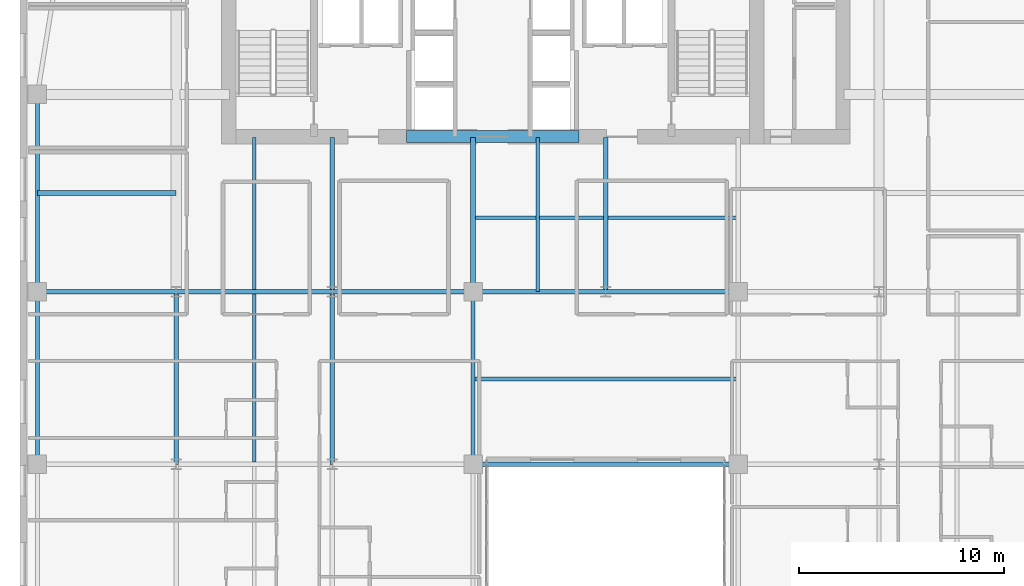
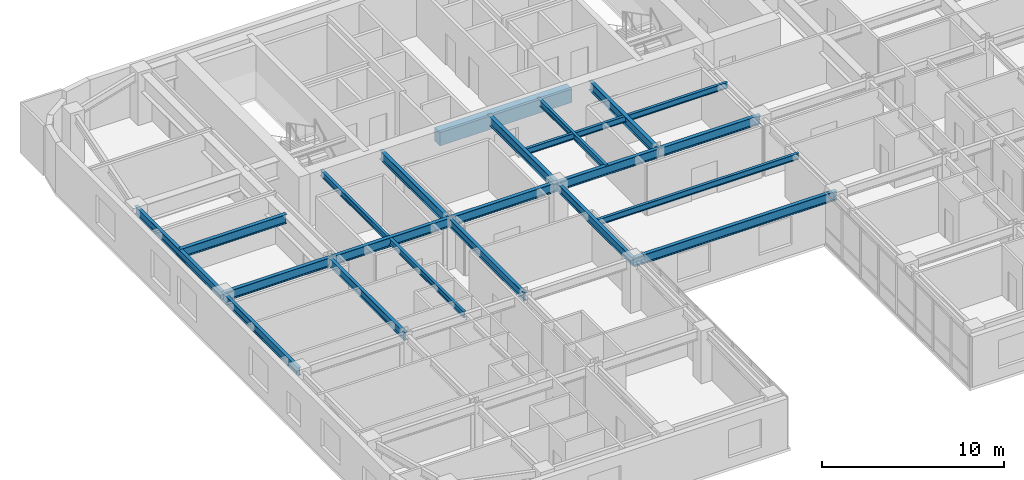
# One storey, part 4 of 17: 21 beams.
"""IFC4 building model written with IfcOpenShell, lengths in metres."""

from ifc_helpers import new_model, si_unit, direction, frame, origin, origin_2d, place, context, subcontext, project, spatial, rectangle, i_section, extrude, source, transform, mapped, material, material_profile, profile_set, type_object, type_shapes, element, save


model = new_model("IFC4")

# Units and contexts
model_context = context("Model", 3, precision=1e-05, world=origin(), true_north=direction((0.0, 1.0)))
body_context = subcontext(model_context, "Body", "Model", "MODEL_VIEW")
ifc_project = project(units=[si_unit("LENGTHUNIT", "METRE"), si_unit("AREAUNIT", "SQUARE_METRE"), si_unit("VOLUMEUNIT", "CUBIC_METRE"), si_unit("PLANEANGLEUNIT", "RADIAN"), si_unit("MASSUNIT", "GRAM", prefix="KILO")], contexts=[model_context])

# Site, building, storey
site_placement = place(None, origin())
site = spatial("IfcSite", under=ifc_project, at=site_placement, CompositionType="ELEMENT")
building_placement = place(site_placement, origin())
building = spatial("IfcBuilding", under=site, at=building_placement, Name="Tolvann Quenvar Hotel", CompositionType="ELEMENT")
storey_placement = place(building_placement, frame((0.0, 0.0, 108.0)))
storey = spatial("IfcBuildingStorey", under=building, at=storey_placement, Name="L27", CompositionType="ELEMENT", Elevation=108.0)

# Beams
ifc_material_1 = material(Name="Concrete N50 (50 MPa)", Category="concrete")
ifc_material_profile_1 = material_profile(ifc_material_1, rectangle(XDim=0.60009765625, YDim=0.89990234375, at=origin_2d()), Name="RC600x900")
ifc_profile_set_1 = profile_set([ifc_material_profile_1], Name="Concrete N50 (50 MPa)")
beam_type_1 = type_object("IfcBeamType", Name="BM_LINT_RC600x900", PredefinedType="LINTEL", material=ifc_profile_set_1)
shared_shape_1 = source(origin(), body_context, "Body", "SweptSolid", [
    extrude(rectangle(XDim=0.60009765625, YDim=0.89990234375, at=origin_2d()), origin(), (0.0, 0.0, 1.0), 8.39990234375),
])
type_shapes(beam_type_1, [shared_shape_1])
beam_1_placement = place(storey_placement, frame((18.800048828125, 31.949951171875, 2.919921875), z_axis=(1.0, 0.0, 0.0), x_axis=(0.0, 1.0, 0.0)))
element("IfcBeam", 1, at=beam_1_placement, inside=storey, type_object=beam_type_1, Name="Core Coupling Lintel Beam (L27)", PredefinedType="LINTEL", context=body_context, shape_type="MappedRepresentation", body=[
    mapped(shared_shape_1, transform((0.0, 0.0, 0.0), x_axis=(1.0, 0.0, 0.0), y_axis=(0.0, 1.0, 0.0), z_axis=(0.0, 0.0, 1.0), scale=1.0)),
])
ifc_material_2 = material(Name="Steel Grade 350", Category="steel")
ifc_material_profile_2 = material_profile(ifc_material_2, i_section(OverallWidth=0.22900390625, OverallDepth=0.612060546875, WebThickness=0.011962890625, FlangeThickness=0.01953125, FilletRadius=0.013916015625, at=origin_2d()), Name="610UB125")
ifc_profile_set_2 = profile_set([ifc_material_profile_2], Name="Steel Grade 350")
beam_type_2 = type_object("IfcBeamType", Name="BM_GIRD_610UB125", PredefinedType="BEAM", material=ifc_profile_set_2)
shared_shape_2 = source(origin(), body_context, "Body", "SweptSolid", [
    extrude(i_section(OverallWidth=0.22900390625, OverallDepth=0.612060546875, WebThickness=0.011962890625, FlangeThickness=0.01953125, FilletRadius=0.013916015625, at=origin_2d()), origin(), (0.0, 0.0, 1.0), 6.75),
])
for number, where, z_axis, x_axis, name in (
    (2, (0.85009765625, 24.39990234375, 3.06396484375), (1.0, 0.0, 0.0), (0.0, 1.0, 0.0), "BM-L27-EW-5-B5-C5"),
    (3, (0.85009765625, 29.199951171875, 3.06396484375), (1.0, 0.0, 0.0), (0.0, 1.0, 0.0), "BM-L27-EW-BC29"),
):
    element("IfcBeam", number, at=place(storey_placement, frame(where, z_axis=z_axis, x_axis=x_axis)), inside=storey, type_object=beam_type_2, Name=name, PredefinedType="BEAM", context=body_context, shape_type="MappedRepresentation", body=[
        mapped(shared_shape_2, transform((0.0, 0.0, 0.0), x_axis=(1.0, 0.0, 0.0), y_axis=(0.0, 1.0, 0.0), z_axis=(0.0, 0.0, 1.0), scale=1.0)),
    ])
shared_shape_3 = source(origin(), body_context, "Body", "SweptSolid", [
    extrude(i_section(OverallWidth=0.22900390625, OverallDepth=0.612060546875, WebThickness=0.011962890625, FlangeThickness=0.01953125, FilletRadius=0.013916015625, at=origin_2d()), origin(), (0.0, 0.0, 1.0), 7.599853515625),
])
beam_2_placement = place(storey_placement, frame((7.60009765625, 24.39990234375, 3.06396484375), z_axis=(1.0, 0.0, 0.0), x_axis=(0.0, 1.0, 0.0)))
element("IfcBeam", 4, at=beam_2_placement, inside=storey, type_object=beam_type_2, Name="BM-L27-EW-5-C5-D5", PredefinedType="BEAM", context=body_context, shape_type="MappedRepresentation", body=[
    mapped(shared_shape_3, transform((0.0, 0.0, 0.0), x_axis=(1.0, 0.0, 0.0), y_axis=(0.0, 1.0, 0.0), z_axis=(0.0, 0.0, 1.0), scale=1.0)),
])
shared_shape_4 = source(origin(), body_context, "Body", "SweptSolid", [
    extrude(i_section(OverallWidth=0.22900390625, OverallDepth=0.612060546875, WebThickness=0.011962890625, FlangeThickness=0.01953125, FilletRadius=0.013916015625, at=origin_2d()), origin(), (0.0, 0.0, 1.0), 6.85009765625),
])
beam_3_placement = place(storey_placement, frame((15.199951171875, 24.39990234375, 3.06396484375), z_axis=(1.0, 0.0, 0.0), x_axis=(0.0, 1.0, 0.0)))
element("IfcBeam", 5, at=beam_3_placement, inside=storey, type_object=beam_type_2, Name="BM-L27-EW-5-D5-E5", PredefinedType="BEAM", context=body_context, shape_type="MappedRepresentation", body=[
    mapped(shared_shape_4, transform((0.0, 0.0, 0.0), x_axis=(1.0, 0.0, 0.0), y_axis=(0.0, 1.0, 0.0), z_axis=(0.0, 0.0, 1.0), scale=1.0)),
])
shared_shape_5 = source(origin(), body_context, "Body", "SweptSolid", [
    extrude(i_section(OverallWidth=0.22900390625, OverallDepth=0.612060546875, WebThickness=0.011962890625, FlangeThickness=0.01953125, FilletRadius=0.013916015625, at=origin_2d()), origin(), (0.0, 0.0, 1.0), 12.89990234375),
])
beam_4_placement = place(storey_placement, frame((22.050048828125, 16.0, 3.06396484375), z_axis=(1.0, 0.0, 0.0), x_axis=(0.0, 1.0, 0.0)))
element("IfcBeam", 6, at=beam_4_placement, inside=storey, type_object=beam_type_2, Name="BM-L27-EW-4-E4-F4", PredefinedType="BEAM", context=body_context, shape_type="MappedRepresentation", body=[
    mapped(shared_shape_5, transform((0.0, 0.0, 0.0), x_axis=(1.0, 0.0, 0.0), y_axis=(0.0, 1.0, 0.0), z_axis=(0.0, 0.0, 1.0), scale=1.0)),
])
shared_shape_6 = source(origin(), body_context, "Body", "SweptSolid", [
    extrude(i_section(OverallWidth=0.22900390625, OverallDepth=0.612060546875, WebThickness=0.011962890625, FlangeThickness=0.01953125, FilletRadius=0.013916015625, at=origin_2d()), origin(), (0.0, 0.0, 1.0), 6.449951171875),
])
for number, where, z_axis, x_axis, name in (
    (7, (22.050048828125, 24.39990234375, 3.06396484375), (1.0, 0.0, 0.0), (0.0, 1.0, 0.0), "BM-L27-EW-5-E5-M5"),
    (8, (28.5, 24.39990234375, 3.06396484375), (1.0, 0.0, 0.0), (0.0, 1.0, 0.0), "BM-L27-EW-5-M5-F5"),
):
    element("IfcBeam", number, at=place(storey_placement, frame(where, z_axis=z_axis, x_axis=x_axis)), inside=storey, type_object=beam_type_2, Name=name, PredefinedType="BEAM", context=body_context, shape_type="MappedRepresentation", body=[
        mapped(shared_shape_6, transform((0.0, 0.0, 0.0), x_axis=(1.0, 0.0, 0.0), y_axis=(0.0, 1.0, 0.0), z_axis=(0.0, 0.0, 1.0), scale=1.0)),
    ])
ifc_material_profile_3 = material_profile(ifc_material_2, i_section(OverallWidth=0.208984375, OverallDepth=0.528076171875, WebThickness=0.009521484375, FlangeThickness=0.01318359375, FilletRadius=0.013916015625, at=origin_2d()), Name="530UB82")
ifc_profile_set_3 = profile_set([ifc_material_profile_3], Name="Steel Grade 350")
beam_type_3 = type_object("IfcBeamType", Name="BM_SPAND_530UB82", PredefinedType="SPANDREL", material=ifc_profile_set_3)
shared_shape_7 = source(origin(), body_context, "Body", "SweptSolid", [
    extrude(i_section(OverallWidth=0.208984375, OverallDepth=0.528076171875, WebThickness=0.009521484375, FlangeThickness=0.01318359375, FilletRadius=0.013916015625, at=origin_2d()), origin(), (0.0, 0.0, 1.0), 8.39990234375),
])
beam_5_placement = place(storey_placement, frame((0.85009765625, 16.0, 3.10595703125), z_axis=(0.0, 1.0, 0.0), x_axis=(-1.0, 0.0, 0.0)))
element("IfcBeam", 9, at=beam_5_placement, inside=storey, type_object=beam_type_3, Name="BM-L27-NS-B4-B5", PredefinedType="SPANDREL", context=body_context, shape_type="MappedRepresentation", body=[
    mapped(shared_shape_7, transform((0.0, 0.0, 0.0), x_axis=(1.0, 0.0, 0.0), y_axis=(0.0, 1.0, 0.0), z_axis=(0.0, 0.0, 1.0), scale=1.0)),
])
ifc_material_profile_4 = material_profile(ifc_material_2, i_section(OverallWidth=0.208984375, OverallDepth=0.532958984375, WebThickness=0.01025390625, FlangeThickness=0.015625, FilletRadius=0.013916015625, at=origin_2d()), Name="530UB92")
ifc_profile_set_4 = profile_set([ifc_material_profile_4], Name="Steel Grade 350")
beam_type_4 = type_object("IfcBeamType", Name="BM_GIRD_530UB92", PredefinedType="BEAM", material=ifc_profile_set_4)
shared_shape_8 = source(origin(), body_context, "Body", "SweptSolid", [
    extrude(i_section(OverallWidth=0.208984375, OverallDepth=0.532958984375, WebThickness=0.01025390625, FlangeThickness=0.015625, FilletRadius=0.013916015625, at=origin_2d()), origin(), (0.0, 0.0, 1.0), 8.39990234375),
])
type_shapes(beam_type_4, [shared_shape_8])
for number, where, z_axis, x_axis, name in (
    (10, (7.60009765625, 16.0, 3.103515625), (0.0, 1.0, 0.0), (-1.0, 0.0, 0.0), "BM-L27-NS-C4-C5"),
    (11, (15.199951171875, 16.0, 3.103515625), (0.0, 1.0, 0.0), (-1.0, 0.0, 0.0), "BM-L27-NS-D4-D5"),
    (12, (22.050048828125, 16.0, 3.103515625), (0.0, 1.0, 0.0), (-1.0, 0.0, 0.0), "BM-L27-NS-E4-E5"),
):
    element("IfcBeam", number, at=place(storey_placement, frame(where, z_axis=z_axis, x_axis=x_axis)), inside=storey, type_object=beam_type_4, Name=name, PredefinedType="BEAM", context=body_context, shape_type="MappedRepresentation", body=[
        mapped(shared_shape_8, transform((0.0, 0.0, 0.0), x_axis=(1.0, 0.0, 0.0), y_axis=(0.0, 1.0, 0.0), z_axis=(0.0, 0.0, 1.0), scale=1.0)),
    ])
shared_shape_9 = source(origin(), body_context, "Body", "SweptSolid", [
    extrude(i_section(OverallWidth=0.22900390625, OverallDepth=0.612060546875, WebThickness=0.011962890625, FlangeThickness=0.01953125, FilletRadius=0.013916015625, at=origin_2d()), origin(), (0.0, 0.0, 1.0), 7.5),
])
type_shapes(beam_type_2, [shared_shape_2, shared_shape_3, shared_shape_4, shared_shape_5, shared_shape_6, shared_shape_9])
for number, where, z_axis, x_axis, name in (
    (13, (15.199951171875, 24.39990234375, 3.06396484375), (0.0, 1.0, 0.0), (-1.0, 0.0, 0.0), "BM-L27-CORE-D5"),
    (14, (22.050048828125, 24.39990234375, 3.06396484375), (0.0, 1.0, 0.0), (-1.0, 0.0, 0.0), "BM-L27-CORE-E5"),
    (15, (28.5, 24.39990234375, 3.06396484375), (0.0, 1.0, 0.0), (-1.0, 0.0, 0.0), "BM-L27-CORE-M5"),
):
    element("IfcBeam", number, at=place(storey_placement, frame(where, z_axis=z_axis, x_axis=x_axis)), inside=storey, type_object=beam_type_2, Name=name, PredefinedType="BEAM", context=body_context, shape_type="MappedRepresentation", body=[
        mapped(shared_shape_9, transform((0.0, 0.0, 0.0), x_axis=(1.0, 0.0, 0.0), y_axis=(0.0, 1.0, 0.0), z_axis=(0.0, 0.0, 1.0), scale=1.0)),
    ])
shared_shape_10 = source(origin(), body_context, "Body", "SweptSolid", [
    extrude(i_section(OverallWidth=0.208984375, OverallDepth=0.528076171875, WebThickness=0.009521484375, FlangeThickness=0.01318359375, FilletRadius=0.013916015625, at=origin_2d()), origin(), (0.0, 0.0, 1.0), 9.60009765625),
])
type_shapes(beam_type_3, [shared_shape_7, shared_shape_10])
beam_6_placement = place(storey_placement, frame((0.85009765625, 24.39990234375, 3.10595703125), z_axis=(0.0, 1.0, 0.0), x_axis=(-1.0, 0.0, 0.0)))
element("IfcBeam", 16, at=beam_6_placement, inside=storey, type_object=beam_type_3, Name="BM-L27-FLK-W1", PredefinedType="SPANDREL", context=body_context, shape_type="MappedRepresentation", body=[
    mapped(shared_shape_10, transform((0.0, 0.0, 0.0), x_axis=(1.0, 0.0, 0.0), y_axis=(0.0, 1.0, 0.0), z_axis=(0.0, 0.0, 1.0), scale=1.0)),
])
ifc_material_profile_5 = material_profile(ifc_material_2, i_section(OverallWidth=0.177978515625, OverallDepth=0.406005859375, WebThickness=0.0078125, FlangeThickness=0.0126953125, FilletRadius=0.011474609375, at=origin_2d()), Name="410UB60")
ifc_profile_set_5 = profile_set([ifc_material_profile_5], Name="Steel Grade 350")
beam_type_5 = type_object("IfcBeamType", Name="BM_JOIST_410UB60", PredefinedType="JOIST", material=ifc_profile_set_5)
shared_shape_11 = source(origin(), body_context, "Body", "SweptSolid", [
    extrude(i_section(OverallWidth=0.177978515625, OverallDepth=0.406005859375, WebThickness=0.0078125, FlangeThickness=0.0126953125, FilletRadius=0.011474609375, at=origin_2d()), origin(), (0.0, 0.0, 1.0), 12.89990234375),
])
for number, where, z_axis, x_axis, name in (
    (17, (22.050048828125, 20.14990234375, 3.1669921875), (1.0, 0.0, 0.0), (0.0, 1.0, 0.0), "BM-L27-SPINE-20"),
    (18, (22.050048828125, 28.0, 3.1669921875), (1.0, 0.0, 0.0), (0.0, 1.0, 0.0), "BM-L27-SPINE-28"),
):
    element("IfcBeam", number, at=place(storey_placement, frame(where, z_axis=z_axis, x_axis=x_axis)), inside=storey, type_object=beam_type_5, Name=name, PredefinedType="JOIST", context=body_context, shape_type="MappedRepresentation", body=[
        mapped(shared_shape_11, transform((0.0, 0.0, 0.0), x_axis=(1.0, 0.0, 0.0), y_axis=(0.0, 1.0, 0.0), z_axis=(0.0, 0.0, 1.0), scale=1.0)),
    ])
shared_shape_12 = source(origin(), body_context, "Body", "SweptSolid", [
    extrude(i_section(OverallWidth=0.177978515625, OverallDepth=0.406005859375, WebThickness=0.0078125, FlangeThickness=0.0126953125, FilletRadius=0.011474609375, at=origin_2d()), origin(), (0.0, 0.0, 1.0), 8.18310546875),
])
beam_7_placement = place(storey_placement, frame((11.39990234375, 16.1083984375, 3.1669921875), z_axis=(0.0, 1.0, 0.0), x_axis=(-1.0, 0.0, 0.0)))
element("IfcBeam", 19, at=beam_7_placement, inside=storey, type_object=beam_type_5, Name="BJ-L27-114-160", PredefinedType="JOIST", context=body_context, shape_type="MappedRepresentation", body=[
    mapped(shared_shape_12, transform((0.0, 0.0, 0.0), x_axis=(1.0, 0.0, 0.0), y_axis=(0.0, 1.0, 0.0), z_axis=(0.0, 0.0, 1.0), scale=1.0)),
])
shared_shape_13 = source(origin(), body_context, "Body", "SweptSolid", [
    extrude(i_section(OverallWidth=0.177978515625, OverallDepth=0.406005859375, WebThickness=0.0078125, FlangeThickness=0.0126953125, FilletRadius=0.011474609375, at=origin_2d()), origin(), (0.0, 0.0, 1.0), 7.391357421875),
])
beam_8_placement = place(storey_placement, frame((11.39990234375, 24.508544921875, 3.1669921875), z_axis=(0.0, 1.0, 0.0), x_axis=(-1.0, 0.0, 0.0)))
element("IfcBeam", 20, at=beam_8_placement, inside=storey, type_object=beam_type_5, Name="BJ-L27-114-244", PredefinedType="JOIST", context=body_context, shape_type="MappedRepresentation", body=[
    mapped(shared_shape_13, transform((0.0, 0.0, 0.0), x_axis=(1.0, 0.0, 0.0), y_axis=(0.0, 1.0, 0.0), z_axis=(0.0, 0.0, 1.0), scale=1.0)),
])
shared_shape_14 = source(origin(), body_context, "Body", "SweptSolid", [
    extrude(i_section(OverallWidth=0.177978515625, OverallDepth=0.406005859375, WebThickness=0.0078125, FlangeThickness=0.0126953125, FilletRadius=0.011474609375, at=origin_2d()), origin(), (0.0, 0.0, 1.0), 7.5),
])
type_shapes(beam_type_5, [shared_shape_11, shared_shape_12, shared_shape_13, shared_shape_14])
beam_9_placement = place(storey_placement, frame((25.199951171875, 24.39990234375, 3.1669921875), z_axis=(0.0, 1.0, 0.0), x_axis=(-1.0, 0.0, 0.0)))
element("IfcBeam", 21, at=beam_9_placement, inside=storey, type_object=beam_type_5, Name="BJ-L27-252-244", PredefinedType="JOIST", context=body_context, shape_type="MappedRepresentation", body=[
    mapped(shared_shape_14, transform((0.0, 0.0, 0.0), x_axis=(1.0, 0.0, 0.0), y_axis=(0.0, 1.0, 0.0), z_axis=(0.0, 0.0, 1.0), scale=1.0)),
])

save(model, "model.ifc")
